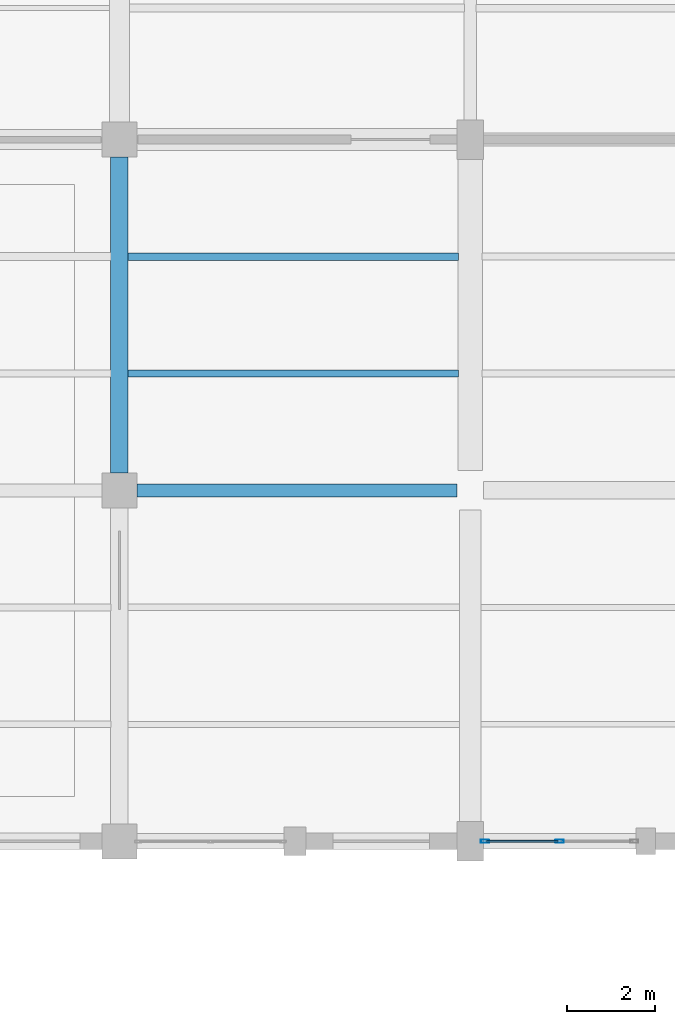
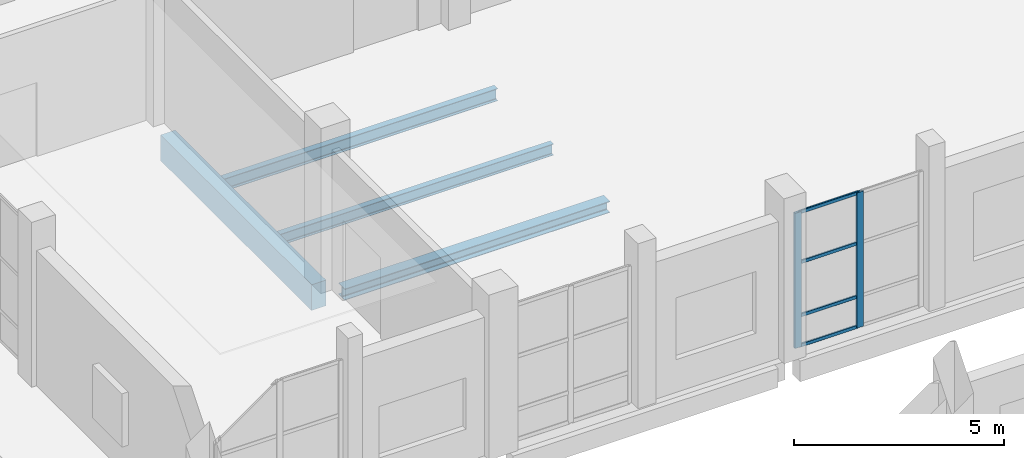
# One storey, part 83 of 156: 6 members, 4 beams, 1 element without a shape of its own.
"""IFC4 building model written with IfcOpenShell, lengths in metres."""

from ifc_helpers import new_model, si_unit, direction, frame, origin, origin_2d, place, context, subcontext, project, spatial, rectangle, hollow_rectangle, i_section, extrude, material, material_profile, profile_set, type_object, element, aggregate, save


model = new_model("IFC4")

# Units and contexts
model_context = context("Model", 3, precision=1e-05, world=origin(), true_north=direction((0.0, 1.0)))
body_context = subcontext(model_context, "Body", "Model", "MODEL_VIEW")
ifc_project = project(units=[si_unit("LENGTHUNIT", "METRE"), si_unit("AREAUNIT", "SQUARE_METRE"), si_unit("VOLUMEUNIT", "CUBIC_METRE"), si_unit("PLANEANGLEUNIT", "RADIAN"), si_unit("MASSUNIT", "GRAM", prefix="KILO")], contexts=[model_context])

# Site, building, storey
site_placement = place(None, origin())
site = spatial("IfcSite", under=ifc_project, at=site_placement, CompositionType="ELEMENT")
building_placement = place(site_placement, origin())
building = spatial("IfcBuilding", under=site, at=building_placement, Name="Luwemba Playhouse", CompositionType="ELEMENT")
storey_placement = place(building_placement, origin())
storey = spatial("IfcBuildingStorey", under=building, at=storey_placement, Name="L00", CompositionType="ELEMENT", Elevation=0.0)

# Beams
ifc_material_1 = material(Name="Concrete C40/50", Category="concrete")
ifc_material_profile_1 = material_profile(ifc_material_1, rectangle(XDim=0.39990234375, YDim=0.75, at=origin_2d()))
ifc_profile_set_1 = profile_set([ifc_material_profile_1], Name="Concrete C40/50")
beam_type_1 = type_object("IfcBeamType", Name="BM-RB03", PredefinedType="BEAM", material=ifc_profile_set_1)
beam_1_placement = place(storey_placement, frame((140.0, 76.39990234375, -0.675048828125), z_axis=(0.0, 1.0, 0.0), x_axis=(-1.0, 0.0, 0.0)))
element("IfcBeam", 1, at=beam_1_placement, inside=storey, type_object=beam_type_1, Name="L00 transverse girder 0136", PredefinedType="BEAM", context=body_context, shape_type="SweptSolid", body=[
    extrude(rectangle(XDim=0.39990234375, YDim=0.75, at=origin_2d()), origin(), (0.0, 0.0, 1.0), 7.2001953125),
])
ifc_material_2 = material(Name="Steel S355", Category="steel")
ifc_material_profile_2 = material_profile(ifc_material_2, i_section(OverallWidth=0.300048828125, OverallDepth=0.330078125, WebThickness=0.009521484375, FlangeThickness=0.0166015625, FilletRadius=0.027099609375, at=origin_2d()))
ifc_profile_set_2 = profile_set([ifc_material_profile_2], Name="Steel S355")
beam_type_2 = type_object("IfcBeamType", Name="BM-SB04", PredefinedType="BEAM", material=ifc_profile_set_2)
beam_2_placement = place(storey_placement, frame((140.39990234375, 76.0, -0.465087890625), z_axis=(1.0, 0.0, 0.0), x_axis=(0.0, 1.0, 0.0)))
element("IfcBeam", 2, at=beam_2_placement, inside=storey, type_object=beam_type_2, Name="L00 grid girder 0118", PredefinedType="BEAM", context=body_context, shape_type="SweptSolid", body=[
    extrude(i_section(OverallWidth=0.300048828125, OverallDepth=0.330078125, WebThickness=0.009521484375, FlangeThickness=0.0166015625, FilletRadius=0.027099609375, at=origin_2d()), origin(), (0.0, 0.0, 1.0), 7.300048828125),
])
ifc_material_profile_3 = material_profile(ifc_material_2, i_section(OverallWidth=0.159912109375, OverallDepth=0.330078125, WebThickness=0.007568359375, FlangeThickness=0.011474609375, FilletRadius=0.01806640625, at=origin_2d()))
ifc_profile_set_3 = profile_set([ifc_material_profile_3], Name="Steel S355")
beam_type_3 = type_object("IfcBeamType", Name="BM-SJ06", PredefinedType="JOIST", material=ifc_profile_set_3)
beam_3_placement = place(storey_placement, frame((140.196044921875, 78.666748046875, -0.465087890625), z_axis=(1.0, 0.0, 0.0), x_axis=(0.0, 1.0, 0.0)))
element("IfcBeam", 3, at=beam_3_placement, inside=storey, type_object=beam_type_3, Name="L00 composite floor joist 0104", PredefinedType="JOIST", context=body_context, shape_type="SweptSolid", body=[
    extrude(i_section(OverallWidth=0.159912109375, OverallDepth=0.330078125, WebThickness=0.007568359375, FlangeThickness=0.011474609375, FilletRadius=0.01806640625, at=origin_2d()), origin(), (0.0, 0.0, 1.0), 7.532958984375),
])
ifc_material_profile_4 = material_profile(ifc_material_2, i_section(OverallWidth=0.169921875, OverallDepth=0.360107421875, WebThickness=0.008056640625, FlangeThickness=0.0126953125, FilletRadius=0.01806640625, at=origin_2d()))
ifc_profile_set_4 = profile_set([ifc_material_profile_4], Name="Steel S355")
beam_type_4 = type_object("IfcBeamType", Name="BM-SJ07", PredefinedType="JOIST", material=ifc_profile_set_4)
beam_4_placement = place(storey_placement, frame((140.196044921875, 81.333251953125, -0.47998046875), z_axis=(1.0, 0.0, 0.0), x_axis=(0.0, 1.0, 0.0)))
element("IfcBeam", 4, at=beam_4_placement, inside=storey, type_object=beam_type_4, Name="L00 composite floor joist 0105", PredefinedType="JOIST", context=body_context, shape_type="SweptSolid", body=[
    extrude(i_section(OverallWidth=0.169921875, OverallDepth=0.360107421875, WebThickness=0.008056640625, FlangeThickness=0.0126953125, FilletRadius=0.01806640625, at=origin_2d()), origin(), (0.0, 0.0, 1.0), 7.532958984375),
])

# Curtain wall, members
ifc_material_3 = material(Name="Solar-control double glazing", Category="glass")
curtain_wall_type = type_object("IfcCurtainWallType", Name="CW-CW21", PredefinedType="USERDEFINED", material=ifc_material_3)
curtain_wall_placement = place(storey_placement, origin())
curtain_wall = element("IfcCurtainWall", 5, at=curtain_wall_placement, inside=storey, type_object=curtain_wall_type, Name="L00 V4 unitised curtain wall 022", ObjectType="UNITISED GLAZING", PredefinedType="USERDEFINED")
ifc_material_4 = material(Name="Aluminium 6063-T6", Category="aluminium")
ifc_material_profile_5 = material_profile(ifc_material_4, hollow_rectangle(XDim=0.070068359375, YDim=0.18994140625, WallThickness=0.0048828125, InnerFilletRadius=0.007568359375, OuterFilletRadius=0.012451171875, at=origin_2d()))
ifc_profile_set_5 = profile_set([ifc_material_profile_5], Name="Aluminium 6063-T6")
member_type_1 = type_object("IfcMemberType", Name="CWM-M4", PredefinedType="MULLION", material=ifc_profile_set_5)
member_1_placement = place(storey_placement, frame((150.03759765625, 68.0, 0.0), z_axis=(0.0, 0.0, 1.0), x_axis=(0.0, -1.0, 0.0)))
member_1 = element("IfcMember", 6, at=member_1_placement, type_object=member_type_1, Name="CW21 mullion 2", PredefinedType="MULLION", context=body_context, shape_type="SweptSolid", body=[
    extrude(hollow_rectangle(XDim=0.070068359375, YDim=0.18994140625, WallThickness=0.0048828125, InnerFilletRadius=0.007568359375, OuterFilletRadius=0.012451171875, at=origin_2d()), origin(), (0.0, 0.0, 1.0), 3.93505859375),
])
member_2_placement = place(storey_placement, frame((148.3349609375, 68.0, 0.0), z_axis=(0.0, 0.0, 1.0), x_axis=(0.0, -1.0, 0.0)))
member_2 = element("IfcMember", 7, at=member_2_placement, type_object=member_type_1, Name="CW21 mullion 3", PredefinedType="MULLION", context=body_context, shape_type="SweptSolid", body=[
    extrude(hollow_rectangle(XDim=0.070068359375, YDim=0.18994140625, WallThickness=0.0048828125, InnerFilletRadius=0.007568359375, OuterFilletRadius=0.012451171875, at=origin_2d()), origin(), (0.0, 0.0, 1.0), 3.93505859375),
])
ifc_material_profile_6 = material_profile(ifc_material_4, hollow_rectangle(XDim=0.050048828125, YDim=0.10009765625, WallThickness=0.00341796875, InnerFilletRadius=0.00537109375, OuterFilletRadius=0.0087890625, at=origin_2d()))
ifc_profile_set_6 = profile_set([ifc_material_profile_6], Name="Aluminium 6063-T6")
member_type_2 = type_object("IfcMemberType", Name="CWT-T4", PredefinedType="USERDEFINED", material=ifc_profile_set_6)
member_3_placement = place(storey_placement, frame((150.00244140625, 68.0, 0.02490234375), z_axis=(-1.0, 0.0, 0.0), x_axis=(0.0, -1.0, 0.0)))
member_3 = element("IfcMember", 8, at=member_3_placement, type_object=member_type_2, Name="CW21 transom 2.1", ObjectType="TRANSOM", PredefinedType="USERDEFINED", context=body_context, shape_type="SweptSolid", body=[
    extrude(hollow_rectangle(XDim=0.050048828125, YDim=0.10009765625, WallThickness=0.00341796875, InnerFilletRadius=0.00537109375, OuterFilletRadius=0.0087890625, at=origin_2d()), origin(), (0.0, 0.0, 1.0), 1.63232421875),
])
member_4_placement = place(storey_placement, frame((150.00244140625, 68.0, 0.89990234375), z_axis=(-1.0, 0.0, 0.0), x_axis=(0.0, -1.0, 0.0)))
member_4 = element("IfcMember", 9, at=member_4_placement, type_object=member_type_2, Name="CW21 transom 2.2", ObjectType="TRANSOM", PredefinedType="USERDEFINED", context=body_context, shape_type="SweptSolid", body=[
    extrude(hollow_rectangle(XDim=0.050048828125, YDim=0.10009765625, WallThickness=0.00341796875, InnerFilletRadius=0.00537109375, OuterFilletRadius=0.0087890625, at=origin_2d()), origin(), (0.0, 0.0, 1.0), 1.63232421875),
])
member_5_placement = place(storey_placement, frame((150.00244140625, 68.0, 2.449951171875), z_axis=(-1.0, 0.0, 0.0), x_axis=(0.0, -1.0, 0.0)))
member_5 = element("IfcMember", 10, at=member_5_placement, type_object=member_type_2, Name="CW21 transom 2.3", ObjectType="TRANSOM", PredefinedType="USERDEFINED", context=body_context, shape_type="SweptSolid", body=[
    extrude(hollow_rectangle(XDim=0.050048828125, YDim=0.10009765625, WallThickness=0.00341796875, InnerFilletRadius=0.00537109375, OuterFilletRadius=0.0087890625, at=origin_2d()), origin(), (0.0, 0.0, 1.0), 1.63232421875),
])
member_6_placement = place(storey_placement, frame((150.00244140625, 68.0, 3.909912109375), z_axis=(-1.0, 0.0, 0.0), x_axis=(0.0, -1.0, 0.0)))
member_6 = element("IfcMember", 11, at=member_6_placement, type_object=member_type_2, Name="CW21 transom 2.4", ObjectType="TRANSOM", PredefinedType="USERDEFINED", context=body_context, shape_type="SweptSolid", body=[
    extrude(hollow_rectangle(XDim=0.050048828125, YDim=0.10009765625, WallThickness=0.00341796875, InnerFilletRadius=0.00537109375, OuterFilletRadius=0.0087890625, at=origin_2d()), origin(), (0.0, 0.0, 1.0), 1.63232421875),
])
aggregate(curtain_wall, [member_1, member_2, member_3, member_4, member_5, member_6])

save(model, "model.ifc")
